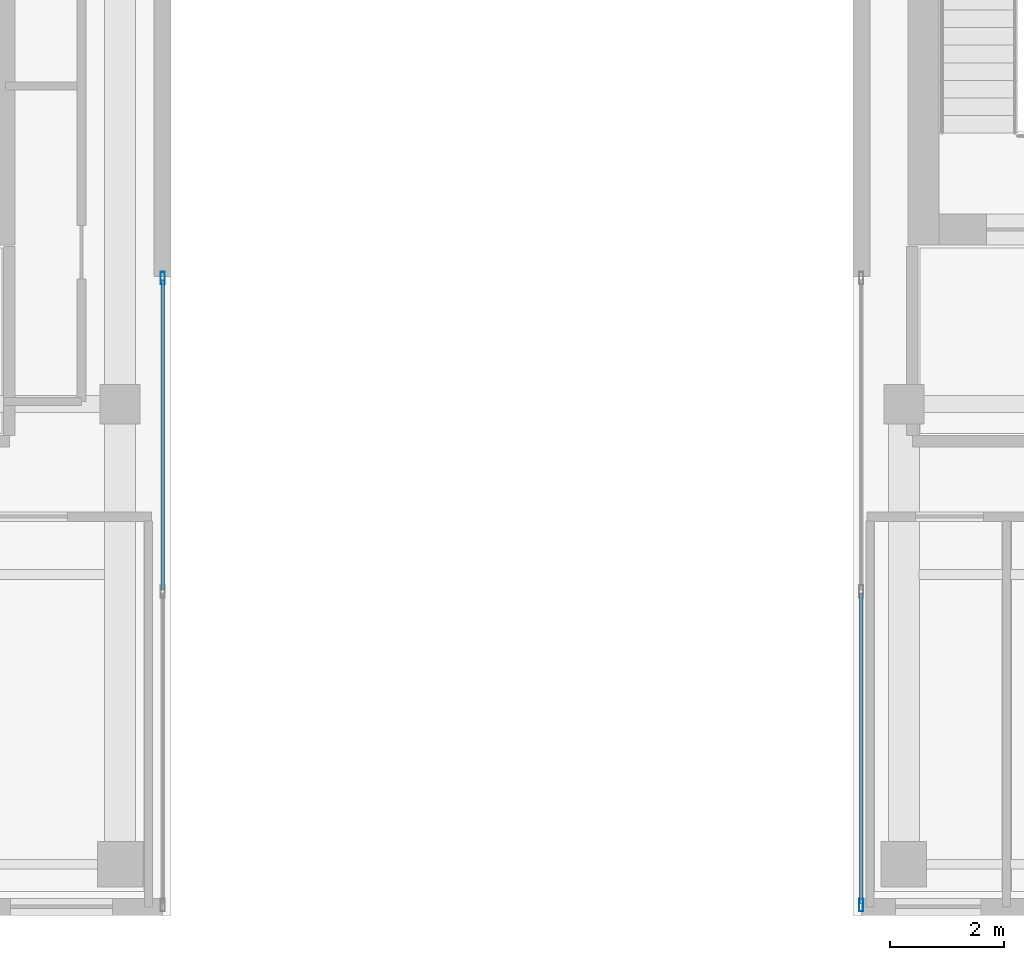
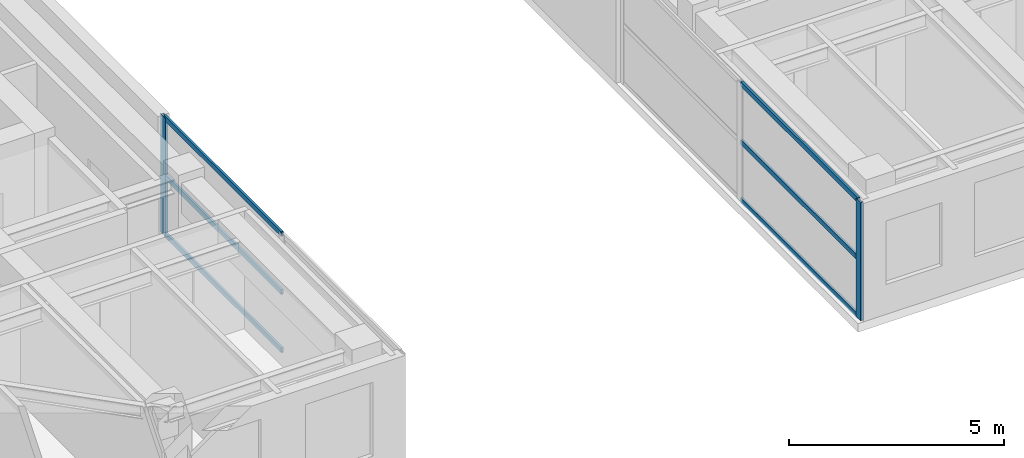
# One storey, part 4 of 23: 8 members, 2 elements without a shape of their own.
"""IFC4 building model written with IfcOpenShell, lengths in metres."""

from ifc_helpers import new_model, si_unit, direction, frame, origin, origin_2d, place, context, subcontext, project, spatial, hollow_rectangle, extrude, source, transform, mapped, material, layer, layer_set, material_profile, profile_set, type_object, element, aggregate, save


model = new_model("IFC4")

# Units and contexts
model_context = context("Model", 3, precision=1e-05, world=origin(), true_north=direction((0.0, 1.0)))
body_context = subcontext(model_context, "Body", "Model", "MODEL_VIEW")
ifc_project = project(units=[si_unit("LENGTHUNIT", "METRE"), si_unit("AREAUNIT", "SQUARE_METRE"), si_unit("VOLUMEUNIT", "CUBIC_METRE"), si_unit("PLANEANGLEUNIT", "RADIAN"), si_unit("MASSUNIT", "GRAM", prefix="KILO")], contexts=[model_context])

# Site, building, storey
site_placement = place(None, origin())
site = spatial("IfcSite", under=ifc_project, at=site_placement, CompositionType="ELEMENT")
building_placement = place(site_placement, origin())
building = spatial("IfcBuilding", under=site, at=building_placement, Name="Khoralis Quay Care Tower", CompositionType="ELEMENT")
storey_placement = place(building_placement, frame((0.0, 0.0, 252.89990234375)))
storey = spatial("IfcBuildingStorey", under=building, at=storey_placement, Name="L66", CompositionType="ELEMENT", Elevation=252.89990234375)

# Curtain wall, member
ifc_material = material(Name="Pale anodised aluminium", Category="aluminium")
ifc_layer = layer(ifc_material, 0.18994140625)
ifc_layer_set = layer_set([ifc_layer], Name="Pale anodised aluminium")
curtain_wall_type = type_object("IfcCurtainWallType", Name="CW-SYS-PORTAL", PredefinedType="NOTDEFINED", material=ifc_layer_set)
curtain_wall_1_placement = place(storey_placement, origin())
curtain_wall_1 = element("IfcCurtainWall", 1, at=curtain_wall_1_placement, inside=storey, type_object=curtain_wall_type, Name="L66 Unitised Curtain Wall CW-VP-L66-P1-S", PredefinedType="NOTDEFINED")
ifc_material_profile_1 = material_profile(ifc_material, hollow_rectangle(XDim=0.074951171875, YDim=0.219970703125, WallThickness=0.00390625, at=origin_2d()), Name="Pale anodised aluminium")
ifc_profile_set_1 = profile_set([ifc_material_profile_1], Name="Pale anodised aluminium")
member_type_1 = type_object("IfcMemberType", Name="CW-MUL-220", PredefinedType="MULLION", material=ifc_profile_set_1)
shared_shape_1 = source(origin(), body_context, "Body", "SweptSolid", [
    extrude(hollow_rectangle(XDim=0.074951171875, YDim=0.219970703125, WallThickness=0.00390625, at=origin_2d()), origin(), (0.0, 0.0, 1.0), 3.360107421875),
])
member_1_placement = place(storey_placement, frame((17.85009765625, 14.219970703125, 0.0), z_axis=(0.0, 0.0, 1.0), x_axis=(-1.0, 0.0, 0.0)))
member_1 = element("IfcMember", 2, at=member_1_placement, type_object=member_type_1, Name="CW4 mullion 3", PredefinedType="MULLION", context=body_context, shape_type="MappedRepresentation", body=[
    mapped(shared_shape_1, transform((0.0, 0.0, 0.0), scale=1.0)),
])

curtain_wall_2_placement = place(storey_placement, origin())
curtain_wall_2 = element("IfcCurtainWall", 3, at=curtain_wall_2_placement, inside=storey, type_object=curtain_wall_type, Name="L66 Unitised Curtain Wall CW-VP-L66-P2-S", PredefinedType="NOTDEFINED")
member_2_placement = place(storey_placement, frame((30.14990234375, 3.179931640625, 0.0), z_axis=(0.0, 0.0, 1.0), x_axis=(-1.0, 0.0, 0.0)))
member_2 = element("IfcMember", 4, at=member_2_placement, type_object=member_type_1, Name="CW4 mullion 1", PredefinedType="MULLION", context=body_context, shape_type="MappedRepresentation", body=[
    mapped(shared_shape_1, transform((0.0, 0.0, 0.0), scale=1.0)),
])

# Member
ifc_material_profile_2 = material_profile(ifc_material, hollow_rectangle(XDim=0.06005859375, YDim=0.139892578125, WallThickness=0.00390625, at=origin_2d()), Name="Pale anodised aluminium")
ifc_profile_set_2 = profile_set([ifc_material_profile_2], Name="Pale anodised aluminium")
member_type_2 = type_object("IfcMemberType", Name="CW-TRN-140", PredefinedType="USERDEFINED", material=ifc_profile_set_2)
shared_shape_2 = source(origin(), body_context, "Body", "SweptSolid", [
    extrude(hollow_rectangle(XDim=0.06005859375, YDim=0.139892578125, WallThickness=0.00390625, at=origin_2d()), origin(), (0.0, 0.0, 1.0), 5.4599609375),
])
member_3_placement = place(storey_placement, frame((17.85009765625, 8.72998046875, 0.030029296875), z_axis=(0.0, 1.0, 0.0), x_axis=(-1.0, 0.0, 0.0)))
member_3 = element("IfcMember", 5, at=member_3_placement, type_object=member_type_2, Name="CW4 transom 2.1", ObjectType="TRANSOM", PredefinedType="USERDEFINED", context=body_context, shape_type="MappedRepresentation", body=[
    mapped(shared_shape_2, transform((0.0, 0.0, 0.0), scale=1.0)),
])

member_4_placement = place(storey_placement, frame((17.85009765625, 8.72998046875, 1.68017578125), z_axis=(0.0, 1.0, 0.0), x_axis=(-1.0, 0.0, 0.0)))
member_4 = element("IfcMember", 6, at=member_4_placement, type_object=member_type_2, Name="CW4 transom 2.2", ObjectType="TRANSOM", PredefinedType="USERDEFINED", context=body_context, shape_type="MappedRepresentation", body=[
    mapped(shared_shape_2, transform((0.0, 0.0, 0.0), scale=1.0)),
])

member_5_placement = place(storey_placement, frame((17.85009765625, 8.72998046875, 3.330078125), z_axis=(0.0, 1.0, 0.0), x_axis=(-1.0, 0.0, 0.0)))
member_5 = element("IfcMember", 7, at=member_5_placement, type_object=member_type_2, Name="CW4 transom 2.3", ObjectType="TRANSOM", PredefinedType="USERDEFINED", context=body_context, shape_type="MappedRepresentation", body=[
    mapped(shared_shape_2, transform((0.0, 0.0, 0.0), scale=1.0)),
])

aggregate(curtain_wall_1, [member_1, member_3, member_4, member_5])

member_6_placement = place(storey_placement, frame((30.14990234375, 3.2099609375, 0.030029296875), z_axis=(0.0, 1.0, 0.0), x_axis=(-1.0, 0.0, 0.0)))
member_6 = element("IfcMember", 8, at=member_6_placement, type_object=member_type_2, Name="CW4 transom 1.1", ObjectType="TRANSOM", PredefinedType="USERDEFINED", context=body_context, shape_type="MappedRepresentation", body=[
    mapped(shared_shape_2, transform((0.0, 0.0, 0.0), scale=1.0)),
])

member_7_placement = place(storey_placement, frame((30.14990234375, 3.2099609375, 1.68017578125), z_axis=(0.0, 1.0, 0.0), x_axis=(-1.0, 0.0, 0.0)))
member_7 = element("IfcMember", 9, at=member_7_placement, type_object=member_type_2, Name="CW4 transom 1.2", ObjectType="TRANSOM", PredefinedType="USERDEFINED", context=body_context, shape_type="MappedRepresentation", body=[
    mapped(shared_shape_2, transform((0.0, 0.0, 0.0), scale=1.0)),
])

member_8_placement = place(storey_placement, frame((30.14990234375, 3.2099609375, 3.330078125), z_axis=(0.0, 1.0, 0.0), x_axis=(-1.0, 0.0, 0.0)))
member_8 = element("IfcMember", 10, at=member_8_placement, type_object=member_type_2, Name="CW4 transom 1.3", ObjectType="TRANSOM", PredefinedType="USERDEFINED", context=body_context, shape_type="MappedRepresentation", body=[
    mapped(shared_shape_2, transform((0.0, 0.0, 0.0), scale=1.0)),
])

aggregate(curtain_wall_2, [member_2, member_6, member_7, member_8])

save(model, "model.ifc")
